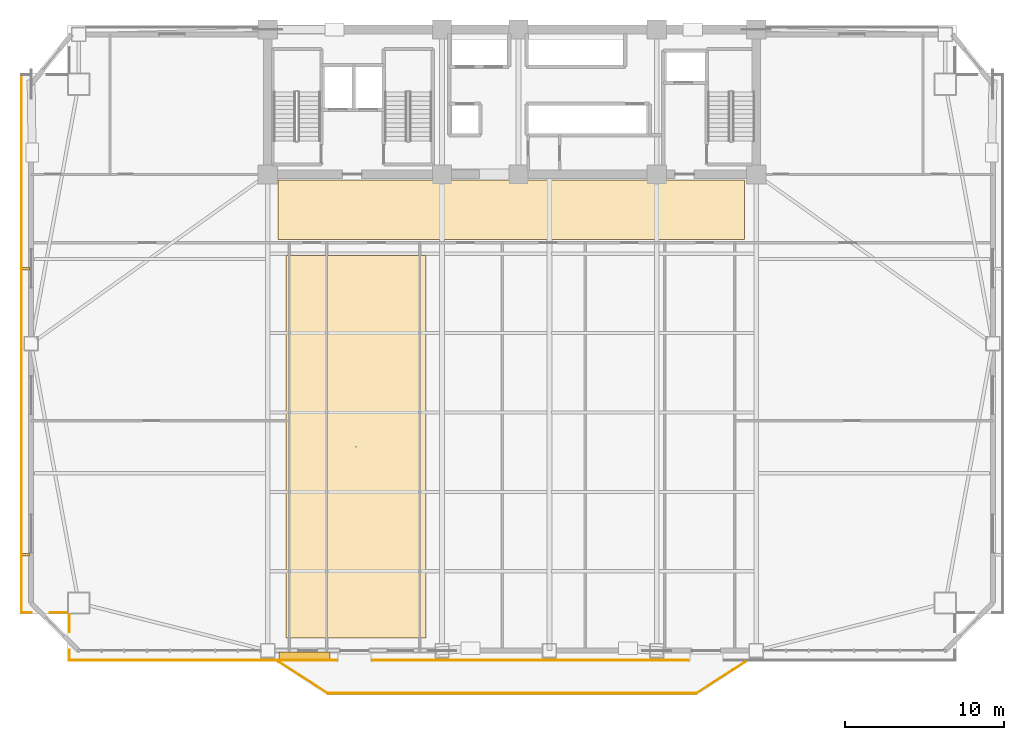
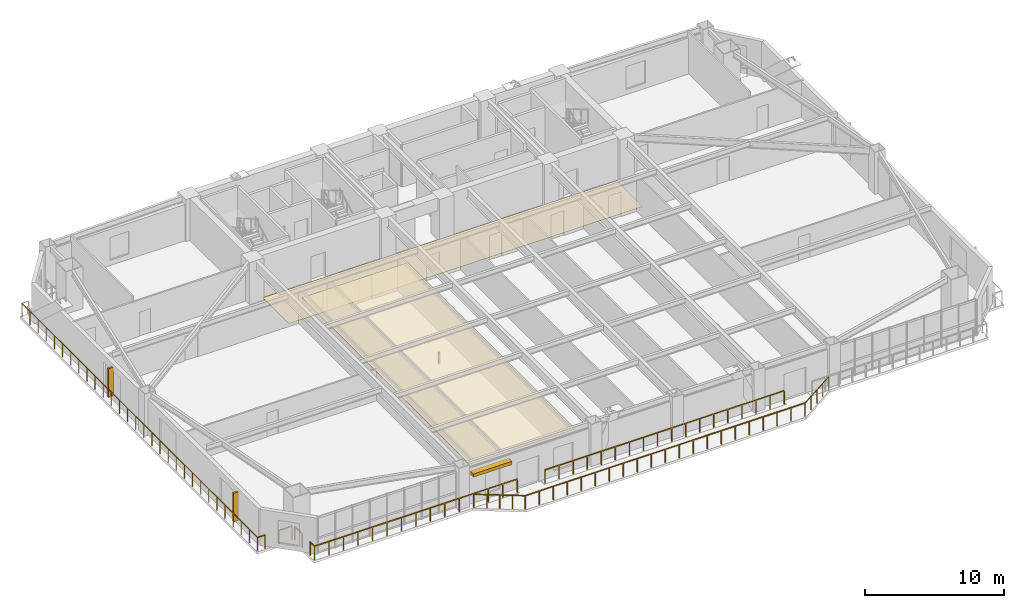
# One storey, part 12 of 15: 10 railings, 3 shading devices, 2 coverings.
"""IFC4 building model written with IfcOpenShell, lengths in metres."""

from ifc_helpers import new_model, si_unit, direction, frame, origin, origin_2d, place, context, subcontext, project, spatial, polyline, rectangle, outline, extrude, source, transform, mapped, material, layer, layer_set, type_object, element, save


model = new_model("IFC4")

# Units and contexts
model_context = context("Model", 3, precision=1e-05, world=origin(), true_north=direction((0.0, 1.0)))
body_context = subcontext(model_context, "Body", "Model", "MODEL_VIEW")
ifc_project = project(units=[si_unit("LENGTHUNIT", "METRE"), si_unit("AREAUNIT", "SQUARE_METRE"), si_unit("VOLUMEUNIT", "CUBIC_METRE"), si_unit("PLANEANGLEUNIT", "RADIAN"), si_unit("MASSUNIT", "GRAM", prefix="KILO")], contexts=[model_context])

# Site, building, storey
site_placement = place(None, origin())
site = spatial("IfcSite", under=ifc_project, at=site_placement, CompositionType="ELEMENT")
building_placement = place(site_placement, origin())
building = spatial("IfcBuilding", under=site, at=building_placement, Name="Giltprow Tower", CompositionType="ELEMENT")
storey_placement = place(building_placement, frame((0.0, 0.0, 123.10009765625)))
storey = spatial("IfcBuildingStorey", under=building, at=storey_placement, Name="L30", CompositionType="ELEMENT", Elevation=123.10009765625)

# Coverings
ifc_material_1 = material(Name="Acoustic mineral fibre", Category="gypsum")
ifc_layer_1 = layer(ifc_material_1, 0.030029296875, Name="Acoustic mineral fibre")
ifc_layer_set_1 = layer_set([ifc_layer_1], Name="Acoustic mineral fibre")
covering_type_1 = type_object("IfcCoveringType", Name="COV-CLG-ACOUSTIC", PredefinedType="CEILING", material=ifc_layer_set_1)
covering_1_placement = place(storey_placement, frame((0.0, 0.0, 2.719970703125)))
element("IfcCovering", 1, at=covering_1_placement, inside=storey, type_object=covering_type_1, Name="L30 Office Acoustic Ceiling", PredefinedType="CEILING", context=body_context, shape_type="SweptSolid", body=[
    extrude(outline(polyline([(21.0, 8.318115234375), (29.800048828125, 8.318115234375), (29.800048828125, 32.35009765625), (21.0, 32.35009765625), (21.0, 8.318115234375)])), origin(), (0.0, 0.0, 1.0), 0.030029296875),
])
ifc_material_2 = material(Name="Honed granite", Category="masonry")
ifc_layer_2 = layer(ifc_material_2, 0.030029296875, Name="Honed granite")
ifc_layer_set_2 = layer_set([ifc_layer_2], Name="Honed granite")
covering_type_2 = type_object("IfcCoveringType", Name="COV-FLR-STONE", PredefinedType="FLOORING", material=ifc_layer_set_2)
covering_2_placement = place(storey_placement, origin())
element("IfcCovering", 2, at=covering_2_placement, inside=storey, type_object=covering_type_2, Name="L30 Office Corridor Stone Flooring", PredefinedType="FLOORING", context=body_context, shape_type="SweptSolid", body=[
    extrude(outline(polyline([(20.5, 33.35009765625), (49.800048828125, 33.35009765625), (49.800048828125, 37.10009765625), (20.5, 37.10009765625), (20.5, 33.35009765625)])), origin(), (0.0, 0.0, 1.0), 0.02978515625),
])

# Railings
ifc_material_3 = material(Name="Anodized bronze", Category="metal")
railing_type = type_object("IfcRailingType", Name="RAIL-BALC-GUARD-1200", PredefinedType="BALUSTRADE", material=ifc_material_3)
railing_1_placement = place(storey_placement, frame((20.52001953125, 6.818115234375, 0.0)))
element("IfcRailing", 3, at=railing_1_placement, inside=storey, type_object=railing_type, Name="L30 Waterfront Balcony Balustrade Seg 1", PredefinedType="BALUSTRADE", context=body_context, shape_type="SweptSolid", body=[
    extrude(rectangle(XDim=0.048095703125, YDim=0.048095703125, at=origin_2d()), frame((0.0, 0.0, 1.17578125), z_axis=(0.842744768896, -0.5383133423, 0.0), x_axis=(0.5383133423, 0.842744768896, 0.0)), (0.0, 0.0, 1.0), 3.678466796875),
    extrude(rectangle(XDim=0.0419921875, YDim=0.0419921875, at=origin_2d()), origin(), (0.0, 0.0, 1.0), 1.15185546875),
    extrude(rectangle(XDim=0.0419921875, YDim=0.0419921875, at=origin_2d()), frame((0.77490234375, -0.4951171875, 0.0)), (0.0, 0.0, 1.0), 1.15185546875),
    extrude(rectangle(XDim=0.0419921875, YDim=0.0419921875, at=origin_2d()), frame((1.550048828125, -0.990234375, 0.0)), (0.0, 0.0, 1.0), 1.15185546875),
    extrude(rectangle(XDim=0.0419921875, YDim=0.0419921875, at=origin_2d()), frame((2.3251953125, -1.485107421875, 0.0)), (0.0, 0.0, 1.0), 1.15185546875),
    extrude(rectangle(XDim=0.0419921875, YDim=0.0419921875, at=origin_2d()), frame((3.10009765625, -1.980224609375, 0.0)), (0.0, 0.0, 1.0), 1.15185546875),
])
railing_2_placement = place(storey_placement, frame((23.6201171875, 4.837890625, 0.0)))
element("IfcRailing", 4, at=railing_2_placement, inside=storey, type_object=railing_type, Name="L30 Waterfront Balcony Balustrade Seg 2", PredefinedType="BALUSTRADE", context=body_context, shape_type="SweptSolid", body=[
    extrude(rectangle(XDim=0.048095703125, YDim=0.048095703125, at=origin_2d()), frame((0.0, 0.0, 1.17578125), z_axis=(1.0, 0.0, 0.0), x_axis=(0.0, 1.0, 0.0)), (0.0, 0.0, 1.0), 23.159912109375),
    extrude(rectangle(XDim=0.0419921875, YDim=0.0419921875, at=origin_2d()), origin(), (0.0, 0.0, 1.0), 1.15185546875),
    extrude(rectangle(XDim=0.0419921875, YDim=0.0419921875, at=origin_2d()), frame((1.157958984375, 0.0, 0.0)), (0.0, 0.0, 1.0), 1.15185546875),
    extrude(rectangle(XDim=0.0419921875, YDim=0.0419921875, at=origin_2d()), frame((2.31591796875, 0.0, 0.0)), (0.0, 0.0, 1.0), 1.15185546875),
    extrude(rectangle(XDim=0.0419921875, YDim=0.0419921875, at=origin_2d()), frame((3.473876953125, 0.0, 0.0)), (0.0, 0.0, 1.0), 1.15185546875),
    extrude(rectangle(XDim=0.0419921875, YDim=0.0419921875, at=origin_2d()), frame((4.632080078125, 0.0, 0.0)), (0.0, 0.0, 1.0), 1.15185546875),
    extrude(rectangle(XDim=0.0419921875, YDim=0.0419921875, at=origin_2d()), frame((5.7900390625, 0.0, 0.0)), (0.0, 0.0, 1.0), 1.15185546875),
    extrude(rectangle(XDim=0.0419921875, YDim=0.0419921875, at=origin_2d()), frame((6.947998046875, 0.0, 0.0)), (0.0, 0.0, 1.0), 1.15185546875),
    extrude(rectangle(XDim=0.0419921875, YDim=0.0419921875, at=origin_2d()), frame((8.10595703125, 0.0, 0.0)), (0.0, 0.0, 1.0), 1.15185546875),
    extrude(rectangle(XDim=0.0419921875, YDim=0.0419921875, at=origin_2d()), frame((9.263916015625, 0.0, 0.0)), (0.0, 0.0, 1.0), 1.15185546875),
    extrude(rectangle(XDim=0.0419921875, YDim=0.0419921875, at=origin_2d()), frame((10.421875, 0.0, 0.0)), (0.0, 0.0, 1.0), 1.15185546875),
    extrude(rectangle(XDim=0.0419921875, YDim=0.0419921875, at=origin_2d()), frame((11.580078125, 0.0, 0.0)), (0.0, 0.0, 1.0), 1.15185546875),
    extrude(rectangle(XDim=0.0419921875, YDim=0.0419921875, at=origin_2d()), frame((12.738037109375, 0.0, 0.0)), (0.0, 0.0, 1.0), 1.15185546875),
    extrude(rectangle(XDim=0.0419921875, YDim=0.0419921875, at=origin_2d()), frame((13.89599609375, 0.0, 0.0)), (0.0, 0.0, 1.0), 1.15185546875),
    extrude(rectangle(XDim=0.0419921875, YDim=0.0419921875, at=origin_2d()), frame((15.053955078125, 0.0, 0.0)), (0.0, 0.0, 1.0), 1.15185546875),
    extrude(rectangle(XDim=0.0419921875, YDim=0.0419921875, at=origin_2d()), frame((16.2119140625, 0.0, 0.0)), (0.0, 0.0, 1.0), 1.15185546875),
    extrude(rectangle(XDim=0.0419921875, YDim=0.0419921875, at=origin_2d()), frame((17.369873046875, 0.0, 0.0)), (0.0, 0.0, 1.0), 1.15185546875),
    extrude(rectangle(XDim=0.0419921875, YDim=0.0419921875, at=origin_2d()), frame((18.52783203125, 0.0, 0.0)), (0.0, 0.0, 1.0), 1.15185546875),
    extrude(rectangle(XDim=0.0419921875, YDim=0.0419921875, at=origin_2d()), frame((19.68603515625, 0.0, 0.0)), (0.0, 0.0, 1.0), 1.15185546875),
    extrude(rectangle(XDim=0.0419921875, YDim=0.0419921875, at=origin_2d()), frame((20.843994140625, 0.0, 0.0)), (0.0, 0.0, 1.0), 1.15185546875),
    extrude(rectangle(XDim=0.0419921875, YDim=0.0419921875, at=origin_2d()), frame((22.001953125, 0.0, 0.0)), (0.0, 0.0, 1.0), 1.15185546875),
    extrude(rectangle(XDim=0.0419921875, YDim=0.0419921875, at=origin_2d()), frame((23.159912109375, 0.0, 0.0)), (0.0, 0.0, 1.0), 1.15185546875),
])
railing_3_placement = place(storey_placement, frame((46.780029296875, 4.837890625, 0.0)))
element("IfcRailing", 5, at=railing_3_placement, inside=storey, type_object=railing_type, Name="L30 Waterfront Balcony Balustrade Seg 3", PredefinedType="BALUSTRADE", context=body_context, shape_type="SweptSolid", body=[
    extrude(rectangle(XDim=0.048095703125, YDim=0.048095703125, at=origin_2d()), frame((0.0, 0.0, 1.17578125), z_axis=(0.842725534991, 0.538343452336, 0.0), x_axis=(-0.538343452336, 0.842725534991, 0.0)), (0.0, 0.0, 1.0), 3.678466796875),
    extrude(rectangle(XDim=0.0419921875, YDim=0.0419921875, at=origin_2d()), origin(), (0.0, 0.0, 1.0), 1.15185546875),
    extrude(rectangle(XDim=0.0419921875, YDim=0.0419921875, at=origin_2d()), frame((0.77490234375, 0.4951171875, 0.0)), (0.0, 0.0, 1.0), 1.15185546875),
    extrude(rectangle(XDim=0.0419921875, YDim=0.0419921875, at=origin_2d()), frame((1.5498046875, 0.990234375, 0.0)), (0.0, 0.0, 1.0), 1.15185546875),
    extrude(rectangle(XDim=0.0419921875, YDim=0.0419921875, at=origin_2d()), frame((2.324951171875, 1.485107421875, 0.0)), (0.0, 0.0, 1.0), 1.15185546875),
    extrude(rectangle(XDim=0.0419921875, YDim=0.0419921875, at=origin_2d()), frame((3.099853515625, 1.980224609375, 0.0)), (0.0, 0.0, 1.0), 1.15185546875),
])
railing_4_placement = place(storey_placement, frame((7.3701171875, 6.91796875, 0.0)))
element("IfcRailing", 6, at=railing_4_placement, inside=storey, type_object=railing_type, Name="L30 Corner Apron Edge Balustrade 1", PredefinedType="BALUSTRADE", context=body_context, shape_type="SweptSolid", body=[
    extrude(rectangle(XDim=0.048095703125, YDim=0.048095703125, at=origin_2d()), frame((0.0, 0.0, 1.17578125), z_axis=(0.0, 1.0, 0.0), x_axis=(-1.0, 0.0, 0.0)), (0.0, 0.0, 1.0), 0.6201171875),
    extrude(rectangle(XDim=0.0419921875, YDim=0.0419921875, at=origin_2d()), origin(), (0.0, 0.0, 1.0), 1.15185546875),
    extrude(rectangle(XDim=0.0419921875, YDim=0.0419921875, at=origin_2d()), frame((0.0, 0.6201171875, 0.0)), (0.0, 0.0, 1.0), 1.15185546875),
])
railing_5_placement = place(storey_placement, frame((7.3701171875, 8.697998046875, 0.0)))
element("IfcRailing", 7, at=railing_5_placement, inside=storey, type_object=railing_type, Name="L30 Corner Apron Edge Balustrade 2", PredefinedType="BALUSTRADE", context=body_context, shape_type="SweptSolid", body=[
    extrude(rectangle(XDim=0.048095703125, YDim=0.048095703125, at=origin_2d()), frame((0.0, 0.0, 1.17578125), z_axis=(0.0, 1.0, 0.0), x_axis=(-1.0, 0.0, 0.0)), (0.0, 0.0, 1.0), 1.075927734375),
    extrude(rectangle(XDim=0.0419921875, YDim=0.0419921875, at=origin_2d()), origin(), (0.0, 0.0, 1.0), 1.15185546875),
    extrude(rectangle(XDim=0.0419921875, YDim=0.0419921875, at=origin_2d()), frame((0.0, 1.075927734375, 0.0)), (0.0, 0.0, 1.0), 1.15185546875),
])
railing_6_placement = place(storey_placement, frame((7.235107421875, 9.908935546875, 0.0)))
element("IfcRailing", 8, at=railing_6_placement, inside=storey, type_object=railing_type, Name="L30 Corner Apron Edge Balustrade 3", PredefinedType="BALUSTRADE", context=body_context, shape_type="SweptSolid", body=[
    extrude(rectangle(XDim=0.048095703125, YDim=0.048095703125, at=origin_2d()), frame((0.0, 0.0, 1.17578125), z_axis=(-1.0, 0.0, 0.0), x_axis=(0.0, -1.0, 0.0)), (0.0, 0.0, 1.0), 1.076171875),
    extrude(rectangle(XDim=0.0419921875, YDim=0.0419921875, at=origin_2d()), origin(), (0.0, 0.0, 1.0), 1.15185546875),
    extrude(rectangle(XDim=0.0419921875, YDim=0.0419921875, at=origin_2d()), frame((-1.076171875, 0.0, 0.0)), (0.0, 0.0, 1.0), 1.15185546875),
])
railing_7_placement = place(storey_placement, frame((4.9990234375, 9.908935546875, 0.0)))
element("IfcRailing", 9, at=railing_7_placement, inside=storey, type_object=railing_type, Name="L30 Corner Apron Edge Balustrade 4", PredefinedType="BALUSTRADE", context=body_context, shape_type="SweptSolid", body=[
    extrude(rectangle(XDim=0.048095703125, YDim=0.048095703125, at=origin_2d()), frame((0.0, 0.0, 1.17578125), z_axis=(-1.0, 0.0, 0.0), x_axis=(0.0, -1.0, 0.0)), (0.0, 0.0, 1.0), 0.6201171875),
    extrude(rectangle(XDim=0.0419921875, YDim=0.0419921875, at=origin_2d()), origin(), (0.0, 0.0, 1.0), 1.15185546875),
    extrude(rectangle(XDim=0.0419921875, YDim=0.0419921875, at=origin_2d()), frame((-0.6201171875, 0.0, 0.0)), (0.0, 0.0, 1.0), 1.15185546875),
])
railing_8_placement = place(storey_placement, frame((4.37890625, 9.908935546875, 0.0)))
element("IfcRailing", 10, at=railing_8_placement, inside=storey, type_object=railing_type, Name="L30 Corner Apron Edge Balustrade 5", PredefinedType="BALUSTRADE", context=body_context, shape_type="SweptSolid", body=[
    extrude(rectangle(XDim=0.048095703125, YDim=0.048095703125, at=origin_2d()), frame((0.0, 0.0, 1.17578125), z_axis=(0.0, 1.0, 0.0), x_axis=(-1.0, 0.0, 0.0)), (0.0, 0.0, 1.0), 33.800048828125),
    extrude(rectangle(XDim=0.0419921875, YDim=0.0419921875, at=origin_2d()), origin(), (0.0, 0.0, 1.0), 1.15185546875),
    extrude(rectangle(XDim=0.0419921875, YDim=0.0419921875, at=origin_2d()), frame((0.0, 1.16552734375, 0.0)), (0.0, 0.0, 1.0), 1.15185546875),
    extrude(rectangle(XDim=0.0419921875, YDim=0.0419921875, at=origin_2d()), frame((0.0, 2.3310546875, 0.0)), (0.0, 0.0, 1.0), 1.15185546875),
    extrude(rectangle(XDim=0.0419921875, YDim=0.0419921875, at=origin_2d()), frame((0.0, 3.49658203125, 0.0)), (0.0, 0.0, 1.0), 1.15185546875),
    extrude(rectangle(XDim=0.0419921875, YDim=0.0419921875, at=origin_2d()), frame((0.0, 4.662109375, 0.0)), (0.0, 0.0, 1.0), 1.15185546875),
    extrude(rectangle(XDim=0.0419921875, YDim=0.0419921875, at=origin_2d()), frame((0.0, 5.82763671875, 0.0)), (0.0, 0.0, 1.0), 1.15185546875),
    extrude(rectangle(XDim=0.0419921875, YDim=0.0419921875, at=origin_2d()), frame((0.0, 6.9931640625, 0.0)), (0.0, 0.0, 1.0), 1.15185546875),
    extrude(rectangle(XDim=0.0419921875, YDim=0.0419921875, at=origin_2d()), frame((0.0, 8.15869140625, 0.0)), (0.0, 0.0, 1.0), 1.15185546875),
    extrude(rectangle(XDim=0.0419921875, YDim=0.0419921875, at=origin_2d()), frame((0.0, 9.32421875, 0.0)), (0.0, 0.0, 1.0), 1.15185546875),
    extrude(rectangle(XDim=0.0419921875, YDim=0.0419921875, at=origin_2d()), frame((0.0, 10.48974609375, 0.0)), (0.0, 0.0, 1.0), 1.15185546875),
    extrude(rectangle(XDim=0.0419921875, YDim=0.0419921875, at=origin_2d()), frame((0.0, 11.6552734375, 0.0)), (0.0, 0.0, 1.0), 1.15185546875),
    extrude(rectangle(XDim=0.0419921875, YDim=0.0419921875, at=origin_2d()), frame((0.0, 12.82080078125, 0.0)), (0.0, 0.0, 1.0), 1.15185546875),
    extrude(rectangle(XDim=0.0419921875, YDim=0.0419921875, at=origin_2d()), frame((0.0, 13.986328125, 0.0)), (0.0, 0.0, 1.0), 1.15185546875),
    extrude(rectangle(XDim=0.0419921875, YDim=0.0419921875, at=origin_2d()), frame((0.0, 15.15185546875, 0.0)), (0.0, 0.0, 1.0), 1.15185546875),
    extrude(rectangle(XDim=0.0419921875, YDim=0.0419921875, at=origin_2d()), frame((0.0, 16.3173828125, 0.0)), (0.0, 0.0, 1.0), 1.15185546875),
    extrude(rectangle(XDim=0.0419921875, YDim=0.0419921875, at=origin_2d()), frame((0.0, 17.482666015625, 0.0)), (0.0, 0.0, 1.0), 1.15185546875),
    extrude(rectangle(XDim=0.0419921875, YDim=0.0419921875, at=origin_2d()), frame((0.0, 18.648193359375, 0.0)), (0.0, 0.0, 1.0), 1.15185546875),
    extrude(rectangle(XDim=0.0419921875, YDim=0.0419921875, at=origin_2d()), frame((0.0, 19.813720703125, 0.0)), (0.0, 0.0, 1.0), 1.15185546875),
    extrude(rectangle(XDim=0.0419921875, YDim=0.0419921875, at=origin_2d()), frame((0.0, 20.979248046875, 0.0)), (0.0, 0.0, 1.0), 1.15185546875),
    extrude(rectangle(XDim=0.0419921875, YDim=0.0419921875, at=origin_2d()), frame((0.0, 22.144775390625, 0.0)), (0.0, 0.0, 1.0), 1.15185546875),
    extrude(rectangle(XDim=0.0419921875, YDim=0.0419921875, at=origin_2d()), frame((0.0, 23.310302734375, 0.0)), (0.0, 0.0, 1.0), 1.15185546875),
    extrude(rectangle(XDim=0.0419921875, YDim=0.0419921875, at=origin_2d()), frame((0.0, 24.475830078125, 0.0)), (0.0, 0.0, 1.0), 1.15185546875),
    extrude(rectangle(XDim=0.0419921875, YDim=0.0419921875, at=origin_2d()), frame((0.0, 25.641357421875, 0.0)), (0.0, 0.0, 1.0), 1.15185546875),
    extrude(rectangle(XDim=0.0419921875, YDim=0.0419921875, at=origin_2d()), frame((0.0, 26.806884765625, 0.0)), (0.0, 0.0, 1.0), 1.15185546875),
    extrude(rectangle(XDim=0.0419921875, YDim=0.0419921875, at=origin_2d()), frame((0.0, 27.972412109375, 0.0)), (0.0, 0.0, 1.0), 1.15185546875),
    extrude(rectangle(XDim=0.0419921875, YDim=0.0419921875, at=origin_2d()), frame((0.0, 29.137939453125, 0.0)), (0.0, 0.0, 1.0), 1.15185546875),
    extrude(rectangle(XDim=0.0419921875, YDim=0.0419921875, at=origin_2d()), frame((0.0, 30.303466796875, 0.0)), (0.0, 0.0, 1.0), 1.15185546875),
    extrude(rectangle(XDim=0.0419921875, YDim=0.0419921875, at=origin_2d()), frame((0.0, 31.468994140625, 0.0)), (0.0, 0.0, 1.0), 1.15185546875),
    extrude(rectangle(XDim=0.0419921875, YDim=0.0419921875, at=origin_2d()), frame((0.0, 32.634521484375, 0.0)), (0.0, 0.0, 1.0), 1.15185546875),
    extrude(rectangle(XDim=0.0419921875, YDim=0.0419921875, at=origin_2d()), frame((0.0, 33.800048828125, 0.0)), (0.0, 0.0, 1.0), 1.15185546875),
])
railing_9_placement = place(storey_placement, frame((46.25, 6.91796875, 0.0)))
element("IfcRailing", 11, at=railing_9_placement, inside=storey, type_object=railing_type, Name="L30 Corner Apron Edge Balustrade 20", PredefinedType="BALUSTRADE", context=body_context, shape_type="SweptSolid", body=[
    extrude(rectangle(XDim=0.048095703125, YDim=0.048095703125, at=origin_2d()), frame((0.0, 0.0, 1.17578125), z_axis=(-1.0, 0.0, 0.0), x_axis=(0.0, -1.0, 0.0)), (0.0, 0.0, 1.0), 19.800048828125),
    extrude(rectangle(XDim=0.0419921875, YDim=0.0419921875, at=origin_2d()), origin(), (0.0, 0.0, 1.0), 1.15185546875),
    extrude(rectangle(XDim=0.0419921875, YDim=0.0419921875, at=origin_2d()), frame((-1.164794921875, 0.0, 0.0)), (0.0, 0.0, 1.0), 1.15185546875),
    extrude(rectangle(XDim=0.0419921875, YDim=0.0419921875, at=origin_2d()), frame((-2.329345703125, 0.0, 0.0)), (0.0, 0.0, 1.0), 1.15185546875),
    extrude(rectangle(XDim=0.0419921875, YDim=0.0419921875, at=origin_2d()), frame((-3.494140625, 0.0, 0.0)), (0.0, 0.0, 1.0), 1.15185546875),
    extrude(rectangle(XDim=0.0419921875, YDim=0.0419921875, at=origin_2d()), frame((-4.658935546875, 0.0, 0.0)), (0.0, 0.0, 1.0), 1.15185546875),
    extrude(rectangle(XDim=0.0419921875, YDim=0.0419921875, at=origin_2d()), frame((-5.823486328125, 0.0, 0.0)), (0.0, 0.0, 1.0), 1.15185546875),
    extrude(rectangle(XDim=0.0419921875, YDim=0.0419921875, at=origin_2d()), frame((-6.98828125, 0.0, 0.0)), (0.0, 0.0, 1.0), 1.15185546875),
    extrude(rectangle(XDim=0.0419921875, YDim=0.0419921875, at=origin_2d()), frame((-8.153076171875, 0.0, 0.0)), (0.0, 0.0, 1.0), 1.15185546875),
    extrude(rectangle(XDim=0.0419921875, YDim=0.0419921875, at=origin_2d()), frame((-9.317626953125, 0.0, 0.0)), (0.0, 0.0, 1.0), 1.15185546875),
    extrude(rectangle(XDim=0.0419921875, YDim=0.0419921875, at=origin_2d()), frame((-10.482421875, 0.0, 0.0)), (0.0, 0.0, 1.0), 1.15185546875),
    extrude(rectangle(XDim=0.0419921875, YDim=0.0419921875, at=origin_2d()), frame((-11.64697265625, 0.0, 0.0)), (0.0, 0.0, 1.0), 1.15185546875),
    extrude(rectangle(XDim=0.0419921875, YDim=0.0419921875, at=origin_2d()), frame((-12.811767578125, 0.0, 0.0)), (0.0, 0.0, 1.0), 1.15185546875),
    extrude(rectangle(XDim=0.0419921875, YDim=0.0419921875, at=origin_2d()), frame((-13.9765625, 0.0, 0.0)), (0.0, 0.0, 1.0), 1.15185546875),
    extrude(rectangle(XDim=0.0419921875, YDim=0.0419921875, at=origin_2d()), frame((-15.14111328125, 0.0, 0.0)), (0.0, 0.0, 1.0), 1.15185546875),
    extrude(rectangle(XDim=0.0419921875, YDim=0.0419921875, at=origin_2d()), frame((-16.305908203125, 0.0, 0.0)), (0.0, 0.0, 1.0), 1.15185546875),
    extrude(rectangle(XDim=0.0419921875, YDim=0.0419921875, at=origin_2d()), frame((-17.470703125, 0.0, 0.0)), (0.0, 0.0, 1.0), 1.15185546875),
    extrude(rectangle(XDim=0.0419921875, YDim=0.0419921875, at=origin_2d()), frame((-18.63525390625, 0.0, 0.0)), (0.0, 0.0, 1.0), 1.15185546875),
    extrude(rectangle(XDim=0.0419921875, YDim=0.0419921875, at=origin_2d()), frame((-19.800048828125, 0.0, 0.0)), (0.0, 0.0, 1.0), 1.15185546875),
])
railing_10_placement = place(storey_placement, frame((24.14990234375, 6.91796875, 0.0)))
element("IfcRailing", 12, at=railing_10_placement, inside=storey, type_object=railing_type, Name="L30 Corner Apron Edge Balustrade 21", PredefinedType="BALUSTRADE", context=body_context, shape_type="SweptSolid", body=[
    extrude(rectangle(XDim=0.048095703125, YDim=0.048095703125, at=origin_2d()), frame((0.0, 0.0, 1.17578125), z_axis=(-1.0, 0.0, 0.0), x_axis=(0.0, -1.0, 0.0)), (0.0, 0.0, 1.0), 16.77978515625),
    extrude(rectangle(XDim=0.0419921875, YDim=0.0419921875, at=origin_2d()), origin(), (0.0, 0.0, 1.0), 1.15185546875),
    extrude(rectangle(XDim=0.0419921875, YDim=0.0419921875, at=origin_2d()), frame((-1.198486328125, 0.0, 0.0)), (0.0, 0.0, 1.0), 1.15185546875),
    extrude(rectangle(XDim=0.0419921875, YDim=0.0419921875, at=origin_2d()), frame((-2.397216796875, 0.0, 0.0)), (0.0, 0.0, 1.0), 1.15185546875),
    extrude(rectangle(XDim=0.0419921875, YDim=0.0419921875, at=origin_2d()), frame((-3.595703125, 0.0, 0.0)), (0.0, 0.0, 1.0), 1.15185546875),
    extrude(rectangle(XDim=0.0419921875, YDim=0.0419921875, at=origin_2d()), frame((-4.794189453125, 0.0, 0.0)), (0.0, 0.0, 1.0), 1.15185546875),
    extrude(rectangle(XDim=0.0419921875, YDim=0.0419921875, at=origin_2d()), frame((-5.99267578125, 0.0, 0.0)), (0.0, 0.0, 1.0), 1.15185546875),
    extrude(rectangle(XDim=0.0419921875, YDim=0.0419921875, at=origin_2d()), frame((-7.19140625, 0.0, 0.0)), (0.0, 0.0, 1.0), 1.15185546875),
    extrude(rectangle(XDim=0.0419921875, YDim=0.0419921875, at=origin_2d()), frame((-8.389892578125, 0.0, 0.0)), (0.0, 0.0, 1.0), 1.15185546875),
    extrude(rectangle(XDim=0.0419921875, YDim=0.0419921875, at=origin_2d()), frame((-9.58837890625, 0.0, 0.0)), (0.0, 0.0, 1.0), 1.15185546875),
    extrude(rectangle(XDim=0.0419921875, YDim=0.0419921875, at=origin_2d()), frame((-10.787109375, 0.0, 0.0)), (0.0, 0.0, 1.0), 1.15185546875),
    extrude(rectangle(XDim=0.0419921875, YDim=0.0419921875, at=origin_2d()), frame((-11.985595703125, 0.0, 0.0)), (0.0, 0.0, 1.0), 1.15185546875),
    extrude(rectangle(XDim=0.0419921875, YDim=0.0419921875, at=origin_2d()), frame((-13.18408203125, 0.0, 0.0)), (0.0, 0.0, 1.0), 1.15185546875),
    extrude(rectangle(XDim=0.0419921875, YDim=0.0419921875, at=origin_2d()), frame((-14.382568359375, 0.0, 0.0)), (0.0, 0.0, 1.0), 1.15185546875),
    extrude(rectangle(XDim=0.0419921875, YDim=0.0419921875, at=origin_2d()), frame((-15.581298828125, 0.0, 0.0)), (0.0, 0.0, 1.0), 1.15185546875),
    extrude(rectangle(XDim=0.0419921875, YDim=0.0419921875, at=origin_2d()), frame((-16.77978515625, 0.0, 0.0)), (0.0, 0.0, 1.0), 1.15185546875),
])

# Shading devices
shading_device_type_1 = type_object("IfcShadingDeviceType", Name="SHD-FIN-420", PredefinedType="USERDEFINED", material=ifc_material_3)
shared_shape_1 = source(origin(), body_context, "Body", "SweptSolid", [
    extrude(rectangle(XDim=0.419921875, YDim=0.159912109375, at=origin_2d()), origin(), (0.0, 0.0, 1.0), 2.5),
])
for number, where, z_axis, x_axis, name in (
    (13, (4.658935546875, 13.550048828125, 0.349853515625), (0.0, 0.0, 1.0), (1.0, 0.0, 0.0), "L30 W Bronze Vertical Fin 1-1"),
    (14, (4.658935546875, 31.52197265625, 0.349853515625), (0.0, 0.0, 1.0), (1.0, 0.0, 0.0), "L30 W Bronze Vertical Fin 2-1"),
):
    element("IfcShadingDevice", number, at=place(storey_placement, frame(where, z_axis=z_axis, x_axis=x_axis)), inside=storey, type_object=shading_device_type_1, Name=name, ObjectType="FIN", PredefinedType="USERDEFINED", context=body_context, shape_type="MappedRepresentation", body=[
        mapped(shared_shape_1, transform((0.0, 0.0, 0.0), x_axis=(1.0, 0.0, 0.0), y_axis=(0.0, 1.0, 0.0), z_axis=(0.0, 0.0, 1.0), scale=1.0)),
    ])
shading_device_type_2 = type_object("IfcShadingDeviceType", Name="SHD-LOUVRE-320", PredefinedType="JALOUSIE", material=ifc_material_3)
shared_shape_2 = source(origin(), body_context, "Body", "SweptSolid", [
    extrude(rectangle(XDim=3.199951171875, YDim=0.449951171875, at=origin_2d()), origin(), (0.0, 0.0, 1.0), 0.280029296875),
])
shading_device_placement = place(storey_placement, frame((22.14990234375, 7.197998046875, 2.56005859375), z_axis=(0.0, 0.0, 1.0), x_axis=(1.0, 0.0, 0.0)))
element("IfcShadingDevice", 15, at=shading_device_placement, inside=storey, type_object=shading_device_type_2, Name="L30 Bronze Sunshade Louvre S-2", PredefinedType="JALOUSIE", context=body_context, shape_type="MappedRepresentation", body=[
    mapped(shared_shape_2, transform((0.0, 0.0, 0.0), x_axis=(1.0, 0.0, 0.0), y_axis=(0.0, 1.0, 0.0), z_axis=(0.0, 0.0, 1.0), scale=1.0)),
])

save(model, "model.ifc")
